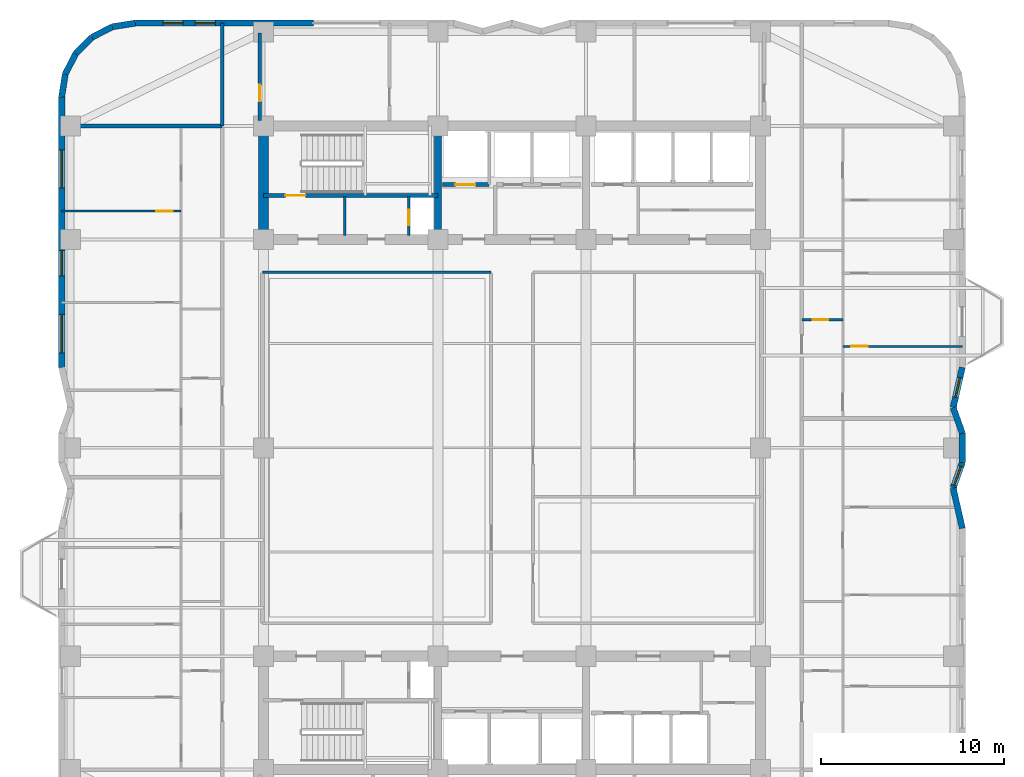
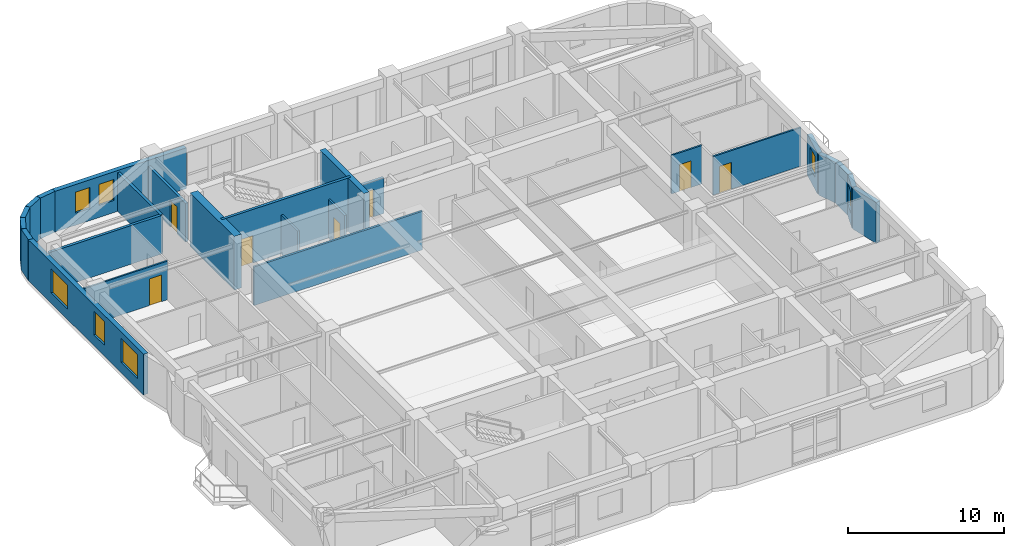
# One storey, part 10 of 15: 25 walls, 7 doors, 7 windows, 14 openings.
"""IFC4 building model written with IfcOpenShell, lengths in metres."""

from ifc_helpers import new_model, si_unit, direction, frame, frame_2d, origin, place, context, subcontext, project, spatial, rectangle, extrude, material, layer, layer_set, type_object, element, fill, save


model = new_model("IFC4")

# Units and contexts
model_context = context("Model", 3, precision=1e-05, world=origin(), true_north=direction((0.0, 1.0)))
body_context = subcontext(model_context, "Body", "Model", "MODEL_VIEW")
ifc_project = project(units=[si_unit("LENGTHUNIT", "METRE"), si_unit("AREAUNIT", "SQUARE_METRE"), si_unit("VOLUMEUNIT", "CUBIC_METRE"), si_unit("PLANEANGLEUNIT", "RADIAN"), si_unit("MASSUNIT", "GRAM", prefix="KILO")], contexts=[model_context])

# Site, building, storey
site_placement = place(None, origin())
site = spatial("IfcSite", under=ifc_project, at=site_placement, CompositionType="ELEMENT")
building_placement = place(site_placement, origin())
building = spatial("IfcBuilding", under=site, at=building_placement, Name="Svetorya Sky Lyceum", CompositionType="ELEMENT")
storey_placement = place(building_placement, frame((0.0, 0.0, 84.10009765625)))
storey = spatial("IfcBuildingStorey", under=building, at=storey_placement, Name="L20", CompositionType="ELEMENT", Elevation=84.10009765625)

# Walls
ifc_material_1 = material(Name="Concrete C40/50", Category="concrete")
ifc_layer_1 = layer(ifc_material_1, 0.39990234375)
ifc_layer_set_1 = layer_set([ifc_layer_1], Name="Concrete C40/50")
wall_type_1 = type_object("IfcWallType", Name="WL-CORE-400", PredefinedType="SHEAR", material=ifc_layer_set_1)
wall_1_placement = place(storey_placement, frame((35.14990234375, 39.875, 0.0), z_axis=(0.0, 0.0, 1.0), x_axis=(0.0, 1.0, 0.0)))
element("IfcWall", 1, at=wall_1_placement, inside=storey, type_object=wall_type_1, Name="L20 NC Internal Shear Web WEB1", PredefinedType="SHEAR", context=body_context, shape_type="SweptSolid", body=[
    extrude(rectangle(XDim=5.64990234375, YDim=0.39990234375, at=frame_2d((2.824951171875, 0.0))), origin(), (0.0, 0.0, 1.0), 4.199951171875),
])
ifc_material_2 = material(Name="Concrete C60/75", Category="concrete")
ifc_layer_2 = layer(ifc_material_2, 0.550048828125)
ifc_layer_set_2 = layer_set([ifc_layer_2], Name="Concrete C60/75")
wall_type_2 = type_object("IfcWallType", Name="WL-CORE-550", PredefinedType="SHEAR", material=ifc_layer_set_2)
wall_2_placement = place(storey_placement, frame((25.60009765625, 39.875, 0.0), z_axis=(0.0, 0.0, 1.0), x_axis=(0.0, 1.0, 0.0)))
element("IfcWall", 2, at=wall_2_placement, inside=storey, type_object=wall_type_2, Name="L20 NC West Core Shear Wall", PredefinedType="SHEAR", context=body_context, shape_type="SweptSolid", body=[
    extrude(rectangle(XDim=5.64990234375, YDim=0.550048828125, at=frame_2d((2.824951171875, 0.0))), origin(), (0.0, 0.0, 1.0), 4.199951171875),
])
ifc_material_3 = material(Name="Putilovo limestone rainscreen on autoclaved cellular masonry", Category="masonry")
ifc_layer_3 = layer(ifc_material_3, 0.340087890625)
ifc_layer_set_3 = layer_set([ifc_layer_3], Name="Putilovo limestone rainscreen on autoclaved cellular masonry")
wall_type_3 = type_object("IfcWallType", Name="WL-EXT-340", PredefinedType="SOLIDWALL", material=ifc_layer_set_3)
wall_3_placement = place(storey_placement, frame((63.830078125, 23.800048828125, 0.0), z_axis=(0.0, 0.0, 1.0), x_axis=(-0.221625780886, 0.975131792758, 0.0)))
element("IfcWall", 3, at=wall_3_placement, inside=storey, type_object=wall_type_3, Name="L20 Limestone Exterior Wall 18M", PredefinedType="SOLIDWALL", context=body_context, shape_type="SweptSolid", body=[
    extrude(rectangle(XDim=2.256103515625, YDim=0.340087890625, at=frame_2d((1.1279296875, 0.0))), origin(), (0.0, 0.0, 1.0), 3.199951171875),
])

# Wall, opening, window
wall_4_placement = place(storey_placement, frame((63.330078125, 26.0, 0.0), z_axis=(0.0, 0.0, 1.0), x_axis=(0.336357205213, 0.94173447983, 0.0)))
wall_4 = element("IfcWall", 4, at=wall_4_placement, inside=storey, type_object=wall_type_3, Name="L20 Limestone Exterior Wall 19M", PredefinedType="SOLIDWALL", context=body_context, shape_type="SweptSolid", body=[
    extrude(rectangle(XDim=1.486572265625, YDim=0.340087890625, at=frame_2d((0.7431640625, 0.0))), origin(), (0.0, 0.0, 1.0), 3.199951171875),
])
opening_1_placement = place(wall_4_placement, frame((0.159912109375, 0.0, 0.949951171875)))
opening_1 = element("IfcOpeningElement", 5, at=opening_1_placement, cuts=wall_4, Name="Opening W-R3", PredefinedType="OPENING", context=body_context, shape_type="SweptSolid", body=[
    extrude(rectangle(XDim=1.10009765625, YDim=1.64990234375, at=frame_2d((0.550048828125, 0.824951171875))), frame((0.0, 0.179931640625, 0.0), z_axis=(0.0, -1.0, 0.0), x_axis=(1.0, 0.0, 0.0)), (0.0, 0.0, 1.0), 0.360107421875),
])
ifc_material_4 = material(Name="Thermally broken aluminium frame with triple low-E glazing", Category="aluminium")
window_type_1 = type_object("IfcWindowType", Name="WN-RES-110", PartitioningType="SINGLE_PANEL", PredefinedType="WINDOW", material=ifc_material_4)
window_1_placement = place(opening_1_placement, origin())
window_1 = element("IfcWindow", 6, at=window_1_placement, inside=storey, type_object=window_type_1, Name="L20 Facade Window W-R3.19M.1", OverallHeight=1.64990234375, OverallWidth=1.10009765625, PartitioningType="SINGLE_PANEL", PredefinedType="WINDOW", context=body_context, shape_type="SweptSolid", body=[
    extrude(rectangle(XDim=1.10009765625, YDim=1.64990234375, at=frame_2d((0.550048828125, 0.824951171875))), frame((0.0, 0.030029296875, 0.0), z_axis=(0.0, -1.0, 0.0), x_axis=(1.0, 0.0, 0.0)), (0.0, 0.0, 1.0), 0.06005859375),
])
fill(opening_1, window_1)

# Walls
wall_5_placement = place(storey_placement, frame((63.830078125, 27.39990234375, 0.0), z_axis=(0.0, 0.0, 1.0), x_axis=(0.0, 1.0, 0.0)))
element("IfcWall", 7, at=wall_5_placement, inside=storey, type_object=wall_type_3, Name="L20 Limestone Exterior Wall 20M", PredefinedType="SOLIDWALL", context=body_context, shape_type="SweptSolid", body=[
    extrude(rectangle(XDim=1.60009765625, YDim=0.340087890625, at=frame_2d((0.800048828125, 0.0))), origin(), (0.0, 0.0, 1.0), 3.199951171875),
])
wall_6_placement = place(storey_placement, frame((63.830078125, 29.0, 0.0), z_axis=(0.0, 0.0, 1.0), x_axis=(-0.336357205213, 0.94173447983, 0.0)))
element("IfcWall", 8, at=wall_6_placement, inside=storey, type_object=wall_type_3, Name="L20 Limestone Exterior Wall 21M", PredefinedType="SOLIDWALL", context=body_context, shape_type="SweptSolid", body=[
    extrude(rectangle(XDim=1.486572265625, YDim=0.340087890625, at=frame_2d((0.7431640625, 0.0))), origin(), (0.0, 0.0, 1.0), 3.199951171875),
])

# Wall, opening, window
wall_7_placement = place(storey_placement, frame((63.330078125, 30.39990234375, 0.0), z_axis=(0.0, 0.0, 1.0), x_axis=(0.221602396322, 0.975137107254, 0.0)))
wall_7 = element("IfcWall", 9, at=wall_7_placement, inside=storey, type_object=wall_type_3, Name="L20 Limestone Exterior Wall 22M", PredefinedType="SOLIDWALL", context=body_context, shape_type="SweptSolid", body=[
    extrude(rectangle(XDim=2.25634765625, YDim=0.340087890625, at=frame_2d((1.128173828125, 0.0))), origin(), (0.0, 0.0, 1.0), 3.199951171875),
])
opening_2_placement = place(wall_7_placement, frame((0.578125, 0.0, 0.949951171875)))
opening_2 = element("IfcOpeningElement", 10, at=opening_2_placement, cuts=wall_7, Name="Opening W-R3", PredefinedType="OPENING", context=body_context, shape_type="SweptSolid", body=[
    extrude(rectangle(XDim=1.10009765625, YDim=1.64990234375, at=frame_2d((0.550048828125, 0.824951171875))), frame((0.0, 0.179931640625, 0.0), z_axis=(0.0, -1.0, 0.0), x_axis=(1.0, 0.0, 0.0)), (0.0, 0.0, 1.0), 0.360107421875),
])
window_2_placement = place(opening_2_placement, origin())
window_2 = element("IfcWindow", 11, at=window_2_placement, inside=storey, type_object=window_type_1, Name="L20 Facade Window W-R3.22M.1", OverallHeight=1.64990234375, OverallWidth=1.10009765625, PartitioningType="SINGLE_PANEL", PredefinedType="WINDOW", context=body_context, shape_type="SweptSolid", body=[
    extrude(rectangle(XDim=1.10009765625, YDim=1.64990234375, at=frame_2d((0.550048828125, 0.824951171875))), frame((0.0, 0.030029296875, 0.0), z_axis=(0.0, -1.0, 0.0), x_axis=(1.0, 0.0, 0.0)), (0.0, 0.0, 1.0), 0.06005859375),
])
fill(opening_2, window_2)

# Wall, openings, windows
wall_8_placement = place(storey_placement, frame((28.35009765625, 51.429931640625, 0.0), z_axis=(0.0, 0.0, 1.0), x_axis=(-1.0, 0.0, 0.0)))
wall_8 = element("IfcWall", 12, at=wall_8_placement, inside=storey, type_object=wall_type_3, Name="L20 Limestone Exterior Wall 34B", PredefinedType="SOLIDWALL", context=body_context, shape_type="SweptSolid", body=[
    extrude(rectangle(XDim=9.75, YDim=0.340087890625, at=frame_2d((4.875, 0.0))), origin(), (0.0, 0.0, 1.0), 3.199951171875),
])
opening_3_placement = place(wall_8_placement, frame((5.375, 0.0, 0.949951171875)))
opening_3 = element("IfcOpeningElement", 13, at=opening_3_placement, cuts=wall_8, Name="Opening W-R3", PredefinedType="OPENING", context=body_context, shape_type="SweptSolid", body=[
    extrude(rectangle(XDim=1.10009765625, YDim=1.64990234375, at=frame_2d((0.550048828125, 0.824951171875))), frame((0.0, 0.179931640625, 0.0), z_axis=(0.0, -1.0, 0.0), x_axis=(1.0, 0.0, 0.0)), (0.0, 0.0, 1.0), 0.360107421875),
])
opening_4_placement = place(wall_8_placement, frame((7.1416015625, 0.0, 0.949951171875)))
opening_4 = element("IfcOpeningElement", 14, at=opening_4_placement, cuts=wall_8, Name="Opening W-R3", PredefinedType="OPENING", context=body_context, shape_type="SweptSolid", body=[
    extrude(rectangle(XDim=1.10009765625, YDim=1.64990234375, at=frame_2d((0.550048828125, 0.824951171875))), frame((0.0, 0.179931640625, 0.0), z_axis=(0.0, -1.0, 0.0), x_axis=(1.0, 0.0, 0.0)), (0.0, 0.0, 1.0), 0.360107421875),
])
window_3_placement = place(opening_3_placement, origin())
window_3 = element("IfcWindow", 15, at=window_3_placement, inside=storey, type_object=window_type_1, Name="L20 Facade Window W-R3.34B.1", OverallHeight=1.64990234375, OverallWidth=1.10009765625, PartitioningType="SINGLE_PANEL", PredefinedType="WINDOW", context=body_context, shape_type="SweptSolid", body=[
    extrude(rectangle(XDim=1.10009765625, YDim=1.64990234375, at=frame_2d((0.550048828125, 0.824951171875))), frame((0.0, 0.030029296875, 0.0), z_axis=(0.0, -1.0, 0.0), x_axis=(1.0, 0.0, 0.0)), (0.0, 0.0, 1.0), 0.06005859375),
])
fill(opening_3, window_3)
window_4_placement = place(opening_4_placement, origin())
window_4 = element("IfcWindow", 16, at=window_4_placement, inside=storey, type_object=window_type_1, Name="L20 Facade Window W-R3.34B.2", OverallHeight=1.64990234375, OverallWidth=1.10009765625, PartitioningType="SINGLE_PANEL", PredefinedType="WINDOW", context=body_context, shape_type="SweptSolid", body=[
    extrude(rectangle(XDim=1.10009765625, YDim=1.64990234375, at=frame_2d((0.550048828125, 0.824951171875))), frame((0.0, 0.030029296875, 0.0), z_axis=(0.0, -1.0, 0.0), x_axis=(1.0, 0.0, 0.0)), (0.0, 0.0, 1.0), 0.06005859375),
])
fill(opening_4, window_4)

# Walls
wall_9_placement = place(storey_placement, frame((18.60009765625, 51.429931640625, 0.0), z_axis=(0.0, 0.0, 1.0), x_axis=(-0.98771582066, -0.156260864002, 0.0)))
element("IfcWall", 17, at=wall_9_placement, inside=storey, type_object=wall_type_3, Name="L20 Limestone Exterior Wall 35M", PredefinedType="SOLIDWALL", context=body_context, shape_type="SweptSolid", body=[
    extrude(rectangle(XDim=1.2607421875, YDim=0.340087890625, at=frame_2d((0.63037109375, 0.0))), origin(), (0.0, 0.0, 1.0), 3.199951171875),
])
for number, where, z_axis, x_axis, name in (
    (18, (17.354736328125, 51.23291015625, 0.0), (0.0, 0.0, 1.0), (-0.890993689142, -0.454015689056, 0.0), "L20 Limestone Exterior Wall 36M"),
    (19, (16.231201171875, 50.660400390625, 0.0), (0.0, 0.0, 1.0), (-0.707106781187, -0.707106781187, 0.0), "L20 Limestone Exterior Wall 37M"),
    (20, (15.339599609375, 49.768798828125, 0.0), (0.0, 0.0, 1.0), (-0.454015689056, -0.890993689142, 0.0), "L20 Limestone Exterior Wall 38M"),
):
    element("IfcWall", number, at=place(storey_placement, frame(where, z_axis=z_axis, x_axis=x_axis)), inside=storey, type_object=wall_type_3, Name=name, PredefinedType="SOLIDWALL", context=body_context, shape_type="SweptSolid", body=[
        extrude(rectangle(XDim=1.260986328125, YDim=0.340087890625, at=frame_2d((0.63037109375, 0.0))), origin(), (0.0, 0.0, 1.0), 3.199951171875),
    ])
wall_10_placement = place(storey_placement, frame((14.76708984375, 48.645263671875, 0.0), z_axis=(0.0, 0.0, 1.0), x_axis=(-0.156260864002, -0.98771582066, 0.0)))
element("IfcWall", 21, at=wall_10_placement, inside=storey, type_object=wall_type_3, Name="L20 Limestone Exterior Wall 39M", PredefinedType="SOLIDWALL", context=body_context, shape_type="SweptSolid", body=[
    extrude(rectangle(XDim=1.2607421875, YDim=0.340087890625, at=frame_2d((0.63037109375, 0.0))), origin(), (0.0, 0.0, 1.0), 3.199951171875),
])

# Wall, openings, windows
wall_11_placement = place(storey_placement, frame((14.570068359375, 47.39990234375, 0.0), z_axis=(0.0, 0.0, 1.0), x_axis=(0.0, -1.0, 0.0)))
wall_11 = element("IfcWall", 22, at=wall_11_placement, inside=storey, type_object=wall_type_3, Name="L20 Limestone Exterior Wall 40M", PredefinedType="SOLIDWALL", context=body_context, shape_type="SweptSolid", body=[
    extrude(rectangle(XDim=14.7998046875, YDim=0.340087890625, at=frame_2d((7.39990234375, 0.0))), origin(), (0.0, 0.0, 1.0), 3.199951171875),
])
opening_5_placement = place(wall_11_placement, frame((2.89990234375, 0.0, 0.800048828125)))
opening_5 = element("IfcOpeningElement", 23, at=opening_5_placement, cuts=wall_11, Name="Opening W-R0", PredefinedType="OPENING", context=body_context, shape_type="SweptSolid", body=[
    extrude(rectangle(XDim=2.10009765625, YDim=1.89990234375, at=frame_2d((1.050048828125, 0.949951171875))), frame((0.0, 0.179931640625, 0.0), z_axis=(0.0, -1.0, 0.0), x_axis=(1.0, 0.0, 0.0)), (0.0, 0.0, 1.0), 0.360107421875),
])
opening_6_placement = place(wall_11_placement, frame((8.39990234375, 0.0, 0.85009765625)))
opening_6 = element("IfcOpeningElement", 24, at=opening_6_placement, cuts=wall_11, Name="Opening W-R2", PredefinedType="OPENING", context=body_context, shape_type="SweptSolid", body=[
    extrude(rectangle(XDim=1.39990234375, YDim=1.85009765625, at=frame_2d((0.699951171875, 0.925048828125))), frame((0.0, 0.179931640625, 0.0), z_axis=(0.0, -1.0, 0.0), x_axis=(1.0, 0.0, 0.0)), (0.0, 0.0, 1.0), 0.360107421875),
])
opening_7_placement = place(wall_11_placement, frame((11.89990234375, 0.0, 0.800048828125)))
opening_7 = element("IfcOpeningElement", 25, at=opening_7_placement, cuts=wall_11, Name="Opening W-R0", PredefinedType="OPENING", context=body_context, shape_type="SweptSolid", body=[
    extrude(rectangle(XDim=2.10009765625, YDim=1.89990234375, at=frame_2d((1.050048828125, 0.949951171875))), frame((0.0, 0.179931640625, 0.0), z_axis=(0.0, -1.0, 0.0), x_axis=(1.0, 0.0, 0.0)), (0.0, 0.0, 1.0), 0.360107421875),
])
window_type_2 = type_object("IfcWindowType", Name="WN-RES-140", PartitioningType="SINGLE_PANEL", PredefinedType="WINDOW", material=ifc_material_4)
window_5_placement = place(opening_6_placement, origin())
window_5 = element("IfcWindow", 26, at=window_5_placement, inside=storey, type_object=window_type_2, Name="L20 Facade Window W-R2.40M.3", OverallHeight=1.85009765625, OverallWidth=1.39990234375, PartitioningType="SINGLE_PANEL", PredefinedType="WINDOW", context=body_context, shape_type="SweptSolid", body=[
    extrude(rectangle(XDim=1.39990234375, YDim=1.85009765625, at=frame_2d((0.699951171875, 0.925048828125))), frame((0.0, 0.030029296875, 0.0), z_axis=(0.0, -1.0, 0.0), x_axis=(1.0, 0.0, 0.0)), (0.0, 0.0, 1.0), 0.06005859375),
])
fill(opening_6, window_5)
window_type_3 = type_object("IfcWindowType", Name="WN-RES-210", PartitioningType="TRIPLE_PANEL_VERTICAL", PredefinedType="WINDOW", material=ifc_material_4)
window_6_placement = place(opening_5_placement, origin())
window_6 = element("IfcWindow", 27, at=window_6_placement, inside=storey, type_object=window_type_3, Name="L20 Facade Window W-R0.40M.1", OverallHeight=1.89990234375, OverallWidth=2.10009765625, PartitioningType="SINGLE_PANEL", PredefinedType="WINDOW", context=body_context, shape_type="SweptSolid", body=[
    extrude(rectangle(XDim=2.10009765625, YDim=1.89990234375, at=frame_2d((1.050048828125, 0.949951171875))), frame((0.0, 0.030029296875, 0.0), z_axis=(0.0, -1.0, 0.0), x_axis=(1.0, 0.0, 0.0)), (0.0, 0.0, 1.0), 0.06005859375),
])
fill(opening_5, window_6)
window_7_placement = place(opening_7_placement, origin())
window_7 = element("IfcWindow", 28, at=window_7_placement, inside=storey, type_object=window_type_3, Name="L20 Facade Window W-R0.40M.2", OverallHeight=1.89990234375, OverallWidth=2.10009765625, PartitioningType="SINGLE_PANEL", PredefinedType="WINDOW", context=body_context, shape_type="SweptSolid", body=[
    extrude(rectangle(XDim=2.10009765625, YDim=1.89990234375, at=frame_2d((1.050048828125, 0.949951171875))), frame((0.0, 0.030029296875, 0.0), z_axis=(0.0, -1.0, 0.0), x_axis=(1.0, 0.0, 0.0)), (0.0, 0.0, 1.0), 0.06005859375),
])
fill(opening_7, window_7)

# Wall, opening, door
ifc_material_5 = material(Name="Twin-stud galvanized framing with double fireboard", Category="gypsum")
ifc_layer_4 = layer(ifc_material_5, 0.1201171875)
ifc_layer_set_4 = layer_set([ifc_layer_4], Name="Twin-stud galvanized framing with double fireboard")
wall_type_4 = type_object("IfcWallType", Name="WL-PART-120", PredefinedType="PARTITIONING", material=ifc_layer_set_4)
wall_12_placement = place(storey_placement, frame((14.570068359375, 41.14990234375, 0.0), z_axis=(0.0, 0.0, 1.0), x_axis=(1.0, 0.0, 0.0)))
wall_12 = element("IfcWall", 29, at=wall_12_placement, inside=storey, type_object=wall_type_4, Name="L20 Interior Partition W2-WL3", PredefinedType="PARTITIONING", context=body_context, shape_type="SweptSolid", body=[
    extrude(rectangle(XDim=6.530029296875, YDim=0.1201171875, at=frame_2d((3.26513671875, 0.0))), origin(), (0.0, 0.0, 1.0), 3.02978515625),
])
opening_8_placement = place(wall_12_placement, frame((5.179931640625, 0.0, 0.0)))
opening_8 = element("IfcOpeningElement", 30, at=opening_8_placement, cuts=wall_12, Name="Opening D-RM1", PredefinedType="OPENING", context=body_context, shape_type="SweptSolid", body=[
    extrude(rectangle(XDim=0.89990234375, YDim=2.10009765625, at=frame_2d((0.449951171875, 1.050048828125))), frame((0.0, 0.070068359375, 0.0), z_axis=(0.0, -1.0, 0.0), x_axis=(1.0, 0.0, 0.0)), (0.0, 0.0, 1.0), 0.14013671875),
])
ifc_material_6 = material(Name="Lacquered birch veneer internal door")
door_type_1 = type_object("IfcDoorType", Name="DR-INT-900", OperationType="SINGLE_SWING_LEFT", PredefinedType="DOOR", material=ifc_material_6)
door_1_placement = place(opening_8_placement, origin())
door_1 = element("IfcDoor", 31, at=door_1_placement, inside=storey, type_object=door_type_1, Name="Apartment W2 Bedroom 3 Door", OperationType="SINGLE_SWING_RIGHT", OverallHeight=2.10009765625, OverallWidth=0.89990234375, PredefinedType="DOOR", context=body_context, shape_type="SweptSolid", body=[
    extrude(rectangle(XDim=0.89990234375, YDim=2.10009765625, at=frame_2d((0.449951171875, 1.050048828125))), frame((0.0, 0.02490234375, 0.0), z_axis=(0.0, -1.0, 0.0), x_axis=(1.0, 0.0, 0.0)), (0.0, 0.0, 1.0), 0.050048828125),
])
fill(opening_8, door_1)

wall_13_placement = place(storey_placement, frame((55.050048828125, 35.199951171875, 0.0), z_axis=(0.0, 0.0, 1.0), x_axis=(1.0, 0.0, 0.0)))
wall_13 = element("IfcWall", 32, at=wall_13_placement, inside=storey, type_object=wall_type_4, Name="L20 Interior Partition E2-WH1", PredefinedType="PARTITIONING", context=body_context, shape_type="SweptSolid", body=[
    extrude(rectangle(XDim=2.25, YDim=0.1201171875, at=frame_2d((1.125, 0.0))), origin(), (0.0, 0.0, 1.0), 3.02978515625),
])
opening_9_placement = place(wall_13_placement, frame((0.60009765625, 0.0, 0.0)))
opening_9 = element("IfcOpeningElement", 33, at=opening_9_placement, cuts=wall_13, Name="Opening D-BT1", PredefinedType="OPENING", context=body_context, shape_type="SweptSolid", body=[
    extrude(rectangle(XDim=0.85009765625, YDim=2.10009765625, at=frame_2d((0.425048828125, 1.050048828125))), frame((0.0, 0.070068359375, 0.0), z_axis=(0.0, -1.0, 0.0), x_axis=(1.0, 0.0, 0.0)), (0.0, 0.0, 1.0), 0.14013671875),
])
ifc_material_7 = material(Name="Moisture-resistant laminate bathroom door")
door_type_2 = type_object("IfcDoorType", Name="DR-WET-850", OperationType="SINGLE_SWING_LEFT", PredefinedType="DOOR", material=ifc_material_7)
door_2_placement = place(opening_9_placement, origin())
door_2 = element("IfcDoor", 34, at=door_2_placement, inside=storey, type_object=door_type_2, Name="Apartment E2 Bathroom Door", OperationType="SINGLE_SWING_LEFT", OverallHeight=2.10009765625, OverallWidth=0.85009765625, PredefinedType="DOOR", context=body_context, shape_type="SweptSolid", body=[
    extrude(rectangle(XDim=0.85009765625, YDim=2.10009765625, at=frame_2d((0.425048828125, 1.050048828125))), frame((0.0, 0.02490234375, 0.0), z_axis=(0.0, -1.0, 0.0), x_axis=(1.0, 0.0, 0.0)), (0.0, 0.0, 1.0), 0.050048828125),
])
fill(opening_9, door_2)

wall_14_placement = place(storey_placement, frame((57.300048828125, 33.75, 0.0), z_axis=(0.0, 0.0, 1.0), x_axis=(1.0, 0.0, 0.0)))
wall_14 = element("IfcWall", 35, at=wall_14_placement, inside=storey, type_object=wall_type_4, Name="L20 Interior Partition E2-WL1", PredefinedType="PARTITIONING", context=body_context, shape_type="SweptSolid", body=[
    extrude(rectangle(XDim=6.530029296875, YDim=0.1201171875, at=frame_2d((3.26513671875, 0.0))), origin(), (0.0, 0.0, 1.0), 3.02978515625),
])
opening_10_placement = place(wall_14_placement, frame((0.449951171875, 0.0, 0.0)))
opening_10 = element("IfcOpeningElement", 36, at=opening_10_placement, cuts=wall_14, Name="Opening D-RM1", PredefinedType="OPENING", context=body_context, shape_type="SweptSolid", body=[
    extrude(rectangle(XDim=0.89990234375, YDim=2.10009765625, at=frame_2d((0.449951171875, 1.050048828125))), frame((0.0, 0.070068359375, 0.0), z_axis=(0.0, -1.0, 0.0), x_axis=(1.0, 0.0, 0.0)), (0.0, 0.0, 1.0), 0.14013671875),
])
door_3_placement = place(opening_10_placement, origin())
door_3 = element("IfcDoor", 37, at=door_3_placement, inside=storey, type_object=door_type_1, Name="Apartment E2 Master Bedroom Door", OperationType="SINGLE_SWING_LEFT", OverallHeight=2.10009765625, OverallWidth=0.89990234375, PredefinedType="DOOR", context=body_context, shape_type="SweptSolid", body=[
    extrude(rectangle(XDim=0.89990234375, YDim=2.10009765625, at=frame_2d((0.449951171875, 1.050048828125))), frame((0.0, 0.02490234375, 0.0), z_axis=(0.0, -1.0, 0.0), x_axis=(1.0, 0.0, 0.0)), (0.0, 0.0, 1.0), 0.050048828125),
])
fill(opening_10, door_3)

ifc_material_8 = material(Name="Autoclaved cellular masonry blockwork with acoustic render", Category="masonry")
ifc_layer_5 = layer(ifc_material_8, 0.14990234375)
ifc_layer_set_5 = layer_set([ifc_layer_5], Name="Autoclaved cellular masonry blockwork with acoustic render")
wall_type_5 = type_object("IfcWallType", Name="WL-PART-150", PredefinedType="PARTITIONING", material=ifc_layer_set_5)
wall_15_placement = place(storey_placement, frame((33.550048828125, 39.820068359375, 0.0), z_axis=(0.0, 0.0, 1.0), x_axis=(0.0, 1.0, 0.0)))
wall_15 = element("IfcWall", 38, at=wall_15_placement, inside=storey, type_object=wall_type_5, Name="L20 Interior Partition NC-RSRW", PredefinedType="PARTITIONING", context=body_context, shape_type="SweptSolid", body=[
    extrude(rectangle(XDim=2.1298828125, YDim=0.14990234375, at=frame_2d((1.06494140625, 0.0))), origin(), (0.0, 0.0, 1.0), 3.02978515625),
])
opening_11_placement = place(wall_15_placement, frame((0.550048828125, 0.0, 0.0)))
opening_11 = element("IfcOpeningElement", 39, at=opening_11_placement, cuts=wall_15, Name="Opening D-SH1", PredefinedType="OPENING", context=body_context, shape_type="SweptSolid", body=[
    extrude(rectangle(XDim=0.85009765625, YDim=2.050048828125, at=frame_2d((0.425048828125, 1.02490234375))), frame((0.0, 0.0849609375, 0.0), z_axis=(0.0, -1.0, 0.0), x_axis=(1.0, 0.0, 0.0)), (0.0, 0.0, 1.0), 0.169921875),
])
ifc_material_9 = material(Name="Insulated galvanized riser inspection fire door")
door_type_3 = type_object("IfcDoorType", Name="DR-SHFT-850", OperationType="SINGLE_SWING_LEFT", PredefinedType="TRAPDOOR", material=ifc_material_9)
door_4_placement = place(opening_11_placement, origin())
door_4 = element("IfcDoor", 40, at=door_4_placement, inside=storey, type_object=door_type_3, Name="L20 North Riser Access Door", OperationType="SINGLE_SWING_LEFT", OverallHeight=2.050048828125, OverallWidth=0.85009765625, PredefinedType="TRAPDOOR", context=body_context, shape_type="SweptSolid", body=[
    extrude(rectangle(XDim=0.85009765625, YDim=2.050048828125, at=frame_2d((0.425048828125, 1.02490234375))), frame((0.0, 0.02490234375, 0.0), z_axis=(0.0, -1.0, 0.0), x_axis=(1.0, 0.0, 0.0)), (0.0, 0.0, 1.0), 0.050048828125),
])
fill(opening_11, door_4)

# Walls
wall_16_placement = place(storey_placement, frame((30.050048828125, 39.820068359375, 0.0), z_axis=(0.0, 0.0, 1.0), x_axis=(0.0, 1.0, 0.0)))
element("IfcWall", 41, at=wall_16_placement, inside=storey, type_object=wall_type_5, Name="L20 Interior Partition NC-NWD1", PredefinedType="PARTITIONING", context=body_context, shape_type="SweptSolid", body=[
    extrude(rectangle(XDim=2.1298828125, YDim=0.14990234375, at=frame_2d((1.06494140625, 0.0))), origin(), (0.0, 0.0, 1.0), 3.02978515625),
])
wall_17_placement = place(storey_placement, frame((25.550048828125, 37.800048828125, 0.0), z_axis=(0.0, 0.0, 1.0), x_axis=(1.0, 0.0, 0.0)))
element("IfcWall", 42, at=wall_17_placement, inside=storey, type_object=wall_type_5, Name="L20 Interior Partition CN-MID-W", PredefinedType="PARTITIONING", context=body_context, shape_type="SweptSolid", body=[
    extrude(rectangle(XDim=12.5, YDim=0.14990234375, at=frame_2d((6.25, 0.0))), origin(), (0.0, 0.0, 1.0), 3.02978515625),
])

# Wall, opening, door
ifc_material_10 = material(Name="Autoclaved cellular masonry blockwork with gypsum plaster", Category="masonry")
ifc_layer_6 = layer(ifc_material_10, 0.199951171875)
ifc_layer_set_6 = layer_set([ifc_layer_6], Name="Autoclaved cellular masonry blockwork with gypsum plaster")
wall_type_6 = type_object("IfcWallType", Name="WL-PART-200", PredefinedType="PARTITIONING", material=ifc_layer_set_6)
wall_18_placement = place(storey_placement, frame((37.949951171875, 42.60009765625, 0.0), z_axis=(0.0, 0.0, 1.0), x_axis=(-1.0, 0.0, 0.0)))
wall_18 = element("IfcWall", 43, at=wall_18_placement, inside=storey, type_object=wall_type_6, Name="L20 Interior Partition NC-FL1W", PredefinedType="PARTITIONING", context=body_context, shape_type="SweptSolid", body=[
    extrude(rectangle(XDim=2.550048828125, YDim=0.199951171875, at=frame_2d((1.27490234375, 0.0))), origin(), (0.0, 0.0, 1.0), 2.7998046875),
])
opening_12_placement = place(wall_18_placement, frame((0.75, 0.0, 0.0)))
opening_12 = element("IfcOpeningElement", 44, at=opening_12_placement, cuts=wall_18, Name="Opening LD-FL", PredefinedType="OPENING", context=body_context, shape_type="SweptSolid", body=[
    extrude(rectangle(XDim=1.10009765625, YDim=2.14990234375, at=frame_2d((0.550048828125, 1.074951171875))), frame((0.0, 0.10986328125, 0.0), z_axis=(0.0, -1.0, 0.0), x_axis=(1.0, 0.0, 0.0)), (0.0, 0.0, 1.0), 0.219970703125),
])
ifc_material_11 = material(Name="Fire-rated stainless AISI 304 firefighting lift landing door")
door_type_4 = type_object("IfcDoorType", Name="DR-LIFT-1100", OperationType="SLIDING_TO_LEFT", PredefinedType="DOOR", material=ifc_material_11)
door_5_placement = place(opening_12_placement, origin())
door_5 = element("IfcDoor", 45, at=door_5_placement, inside=storey, type_object=door_type_4, Name="L20 Firefighting Lift FL1 Landing Door", OperationType="SLIDING_TO_LEFT", OverallHeight=2.14990234375, OverallWidth=1.10009765625, PredefinedType="DOOR", context=body_context, shape_type="SweptSolid", body=[
    extrude(rectangle(XDim=1.10009765625, YDim=2.14990234375, at=frame_2d((0.550048828125, 1.074951171875))), frame((0.0, 0.02490234375, 0.0), z_axis=(0.0, -1.0, 0.0), x_axis=(1.0, 0.0, 0.0)), (0.0, 0.0, 1.0), 0.050048828125),
])
fill(opening_12, door_5)

# Walls
wall_19_placement = place(storey_placement, frame((14.989990234375, 45.800048828125, 0.0), z_axis=(0.0, 0.0, 1.0), x_axis=(1.0, 0.0, 0.0)))
element("IfcWall", 46, at=wall_19_placement, inside=storey, type_object=wall_type_6, Name="L20 Interior Partition W-CAP-N", PredefinedType="PARTITIONING", context=body_context, shape_type="SweptSolid", body=[
    extrude(rectangle(XDim=8.360107421875, YDim=0.199951171875, at=frame_2d((4.18017578125, 0.0))), origin(), (0.0, 0.0, 1.0), 3.02978515625),
])
wall_20_placement = place(storey_placement, frame((23.35009765625, 45.800048828125, 0.0), z_axis=(0.0, 0.0, 1.0), x_axis=(0.0, 1.0, 0.0)))
element("IfcWall", 47, at=wall_20_placement, inside=storey, type_object=wall_type_6, Name="L20 Interior Partition WC-NW-END", PredefinedType="PARTITIONING", context=body_context, shape_type="SweptSolid", body=[
    extrude(rectangle(XDim=5.6298828125, YDim=0.199951171875, at=frame_2d((2.81494140625, 0.0))), origin(), (0.0, 0.0, 1.0), 3.02978515625),
])

# Wall, opening, door
wall_21_placement = place(storey_placement, frame((25.39990234375, 46.10009765625, 0.0), z_axis=(0.0, 0.0, 1.0), x_axis=(0.0, 1.0, 0.0)))
wall_21 = element("IfcWall", 48, at=wall_21_placement, inside=storey, type_object=wall_type_6, Name="L20 Interior Partition N-EW", PredefinedType="PARTITIONING", context=body_context, shape_type="SweptSolid", body=[
    extrude(rectangle(XDim=4.77978515625, YDim=0.199951171875, at=frame_2d((2.389892578125, 0.0))), origin(), (0.0, 0.0, 1.0), 3.02978515625),
])
opening_13_placement = place(wall_21_placement, frame((1.050048828125, 0.0, 0.0)))
opening_13 = element("IfcOpeningElement", 49, at=opening_13_placement, cuts=wall_21, Name="Opening D-RM1", PredefinedType="OPENING", context=body_context, shape_type="SweptSolid", body=[
    extrude(rectangle(XDim=0.89990234375, YDim=2.10009765625, at=frame_2d((0.449951171875, 1.050048828125))), frame((0.0, 0.10986328125, 0.0), z_axis=(0.0, -1.0, 0.0), x_axis=(1.0, 0.0, 0.0)), (0.0, 0.0, 1.0), 0.219970703125),
])
door_6_placement = place(opening_13_placement, origin())
door_6 = element("IfcDoor", 50, at=door_6_placement, inside=storey, type_object=door_type_1, Name="L20 North Study Door", OperationType="SINGLE_SWING_RIGHT", OverallHeight=2.10009765625, OverallWidth=0.89990234375, PredefinedType="DOOR", context=body_context, shape_type="SweptSolid", body=[
    extrude(rectangle(XDim=0.89990234375, YDim=2.10009765625, at=frame_2d((0.449951171875, 1.050048828125))), frame((0.0, 0.02490234375, 0.0), z_axis=(0.0, -1.0, 0.0), x_axis=(1.0, 0.0, 0.0)), (0.0, 0.0, 1.0), 0.050048828125),
])
fill(opening_13, door_6)

ifc_material_12 = material(Name="Concrete C50/60", Category="concrete")
ifc_layer_7 = layer(ifc_material_12, 0.199951171875)
ifc_layer_set_7 = layer_set([ifc_layer_7], Name="Concrete C50/60")
wall_type_7 = type_object("IfcWallType", Name="WL-SHW-200", PredefinedType="SHEAR", material=ifc_layer_set_7)
wall_22_placement = place(storey_placement, frame((35.14990234375, 42.0, 0.0), z_axis=(0.0, 0.0, 1.0), x_axis=(-1.0, 0.0, 0.0)))
wall_22 = element("IfcWall", 51, at=wall_22_placement, inside=storey, type_object=wall_type_7, Name="L20 Structural Stair Shaft Wall NC-STW", PredefinedType="SHEAR", context=body_context, shape_type="SweptSolid", body=[
    extrude(rectangle(XDim=9.5498046875, YDim=0.199951171875, at=frame_2d((4.77490234375, 0.0))), origin(), (0.0, 0.0, 1.0), 4.199951171875),
])
opening_14_placement = place(wall_22_placement, frame((7.25, 0.0, 0.0)))
opening_14 = element("IfcOpeningElement", 52, at=opening_14_placement, cuts=wall_22, Name="Opening D-ST1", PredefinedType="OPENING", context=body_context, shape_type="SweptSolid", body=[
    extrude(rectangle(XDim=1.10009765625, YDim=2.14990234375, at=frame_2d((0.550048828125, 1.074951171875))), frame((0.0, 0.10986328125, 0.0), z_axis=(0.0, -1.0, 0.0), x_axis=(1.0, 0.0, 0.0)), (0.0, 0.0, 1.0), 0.219970703125),
])
ifc_material_13 = material(Name="Powder-coated insulated galvanized stair fire door")
door_type_5 = type_object("IfcDoorType", Name="DR-FIRE-1100", OperationType="SINGLE_SWING_LEFT", PredefinedType="DOOR", material=ifc_material_13)
door_7_placement = place(opening_14_placement, origin())
door_7 = element("IfcDoor", 53, at=door_7_placement, inside=storey, type_object=door_type_5, Name="L20 Stair ST-N Vestibule Fire Door", OperationType="SINGLE_SWING_RIGHT", OverallHeight=2.14990234375, OverallWidth=1.10009765625, PredefinedType="DOOR", context=body_context, shape_type="SweptSolid", body=[
    extrude(rectangle(XDim=1.10009765625, YDim=2.14990234375, at=frame_2d((0.550048828125, 1.074951171875))), frame((0.0, 0.02490234375, 0.0), z_axis=(0.0, -1.0, 0.0), x_axis=(1.0, 0.0, 0.0)), (0.0, 0.0, 1.0), 0.050048828125),
])
fill(opening_14, door_7)

save(model, "model.ifc")
